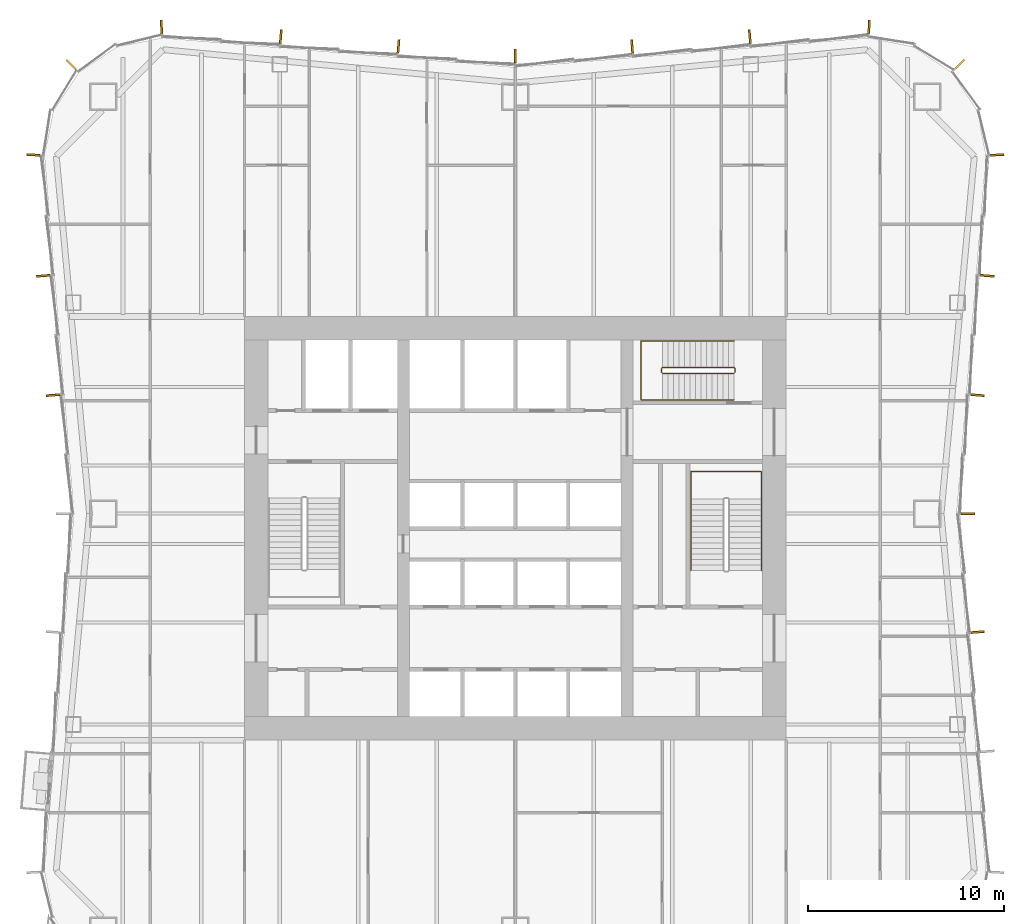
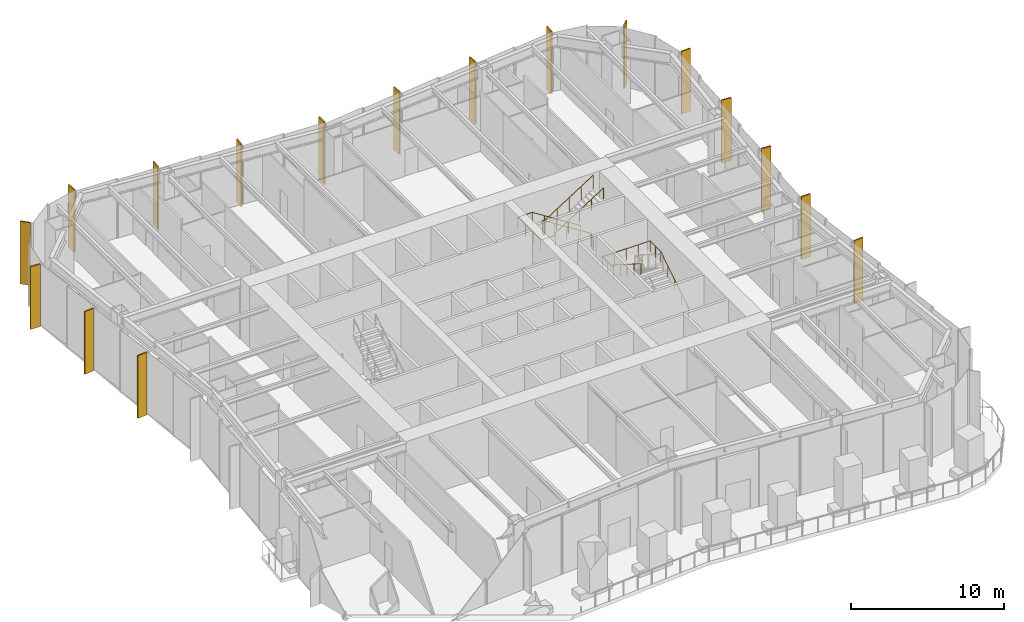
# One storey, part 14 of 15: 17 shading devices, 3 railings.
"""IFC4 building model written with IfcOpenShell, lengths in metres."""

from ifc_helpers import new_model, si_unit, direction, frame, origin, origin_2d, place, context, subcontext, project, spatial, rectangle, circle, extrude, material, layer, layer_set, type_object, element, save


model = new_model("IFC4")

# Units and contexts
model_context = context("Model", 3, precision=1e-05, world=origin(), true_north=direction((0.0, 1.0)))
body_context = subcontext(model_context, "Body", "Model", "MODEL_VIEW")
ifc_project = project(units=[si_unit("LENGTHUNIT", "METRE"), si_unit("AREAUNIT", "SQUARE_METRE"), si_unit("VOLUMEUNIT", "CUBIC_METRE"), si_unit("PLANEANGLEUNIT", "RADIAN"), si_unit("MASSUNIT", "GRAM", prefix="KILO")], contexts=[model_context])

# Site, building, storey
site_placement = place(None, origin())
site = spatial("IfcSite", under=ifc_project, at=site_placement, CompositionType="ELEMENT")
building_placement = place(site_placement, origin())
building = spatial("IfcBuilding", under=site, at=building_placement, Name="Verdant Reach Tower", CompositionType="ELEMENT")
storey_placement = place(building_placement, frame((0.0, 0.0, 65.0)))
storey = spatial("IfcBuildingStorey", under=building, at=storey_placement, Name="L14", CompositionType="ELEMENT", Elevation=65.0)

# Railings
ifc_material_1 = material(Name="Stainless steel", Category="steel")
railing_type_1 = type_object("IfcRailingType", Name="CO-GUARD", PredefinedType="GUARDRAIL", material=ifc_material_1)
railing_1_placement = place(storey_placement, frame((11.199951171875, 35.949951171875, 0.0)))
element("IfcRailing", 1, at=railing_1_placement, inside=storey, type_object=railing_type_1, Name="L14 ST-3 stair guard 1", PredefinedType="GUARDRAIL", context=body_context, shape_type="SweptSolid", body=[
    extrude(circle(Radius=0.02392578125, at=origin_2d()), frame((0.0, 0.0, 1.076171875), z_axis=(0.0, 1.0, 0.0), x_axis=(-1.0, 0.0, 0.0)), (0.0, 0.0, 1.0), 0.199951171875),
    extrude(circle(Radius=0.02392578125, at=origin_2d()), frame((0.0, 0.199951171875, 1.076171875), z_axis=(-0.260684529273, 0.260684529273, 0.929562882432), x_axis=(-0.707106781187, -0.707106781187, 0.0)), (0.0, 0.0, 1.0), 0.19189453125),
    extrude(circle(Radius=0.02392578125, at=origin_2d()), frame((-0.050048828125, 0.25, 1.25439453125), z_axis=(-0.843111507901, 0.0, 0.53773877045), x_axis=(0.0, -1.0, 0.0)), (0.0, 0.0, 1.0), 4.317138671875),
    extrude(circle(Radius=0.02392578125, at=origin_2d()), frame((-3.68994140625, 0.25, 3.576171875), z_axis=(-0.707106781187, -0.707106781187, 0.0), x_axis=(0.707106781187, -0.707106781187, 0.0)), (0.0, 0.0, 1.0), 0.07080078125),
    extrude(circle(Radius=0.02392578125, at=origin_2d()), frame((-3.739990234375, 0.199951171875, 3.576171875), z_axis=(0.0, -1.0, 0.0), x_axis=(1.0, 0.0, 0.0)), (0.0, 0.0, 1.0), 0.199951171875),
    extrude(circle(Radius=0.02392578125, at=origin_2d()), frame((-3.739990234375, 0.0, 3.576171875), z_axis=(0.260684529273, -0.260684529273, 0.929562882432), x_axis=(0.707106781187, 0.707106781187, 0.0)), (0.0, 0.0, 1.0), 0.19189453125),
    extrude(circle(Radius=0.02392578125, at=origin_2d()), frame((-3.68994140625, -0.050048828125, 3.75439453125), z_axis=(0.843111507901, 0.0, 0.53773877045), x_axis=(0.0, 1.0, 0.0)), (0.0, 0.0, 1.0), 4.317138671875),
    extrude(circle(Radius=0.02099609375, at=origin_2d()), origin(), (0.0, 0.0, 1.0), 1.052001953125),
    extrude(circle(Radius=0.02099609375, at=origin_2d()), frame((0.0, 0.199951171875, 0.0)), (0.0, 0.0, 1.0), 1.052001953125),
    extrude(circle(Radius=0.02099609375, at=origin_2d()), frame((-0.050048828125, 0.25, 0.178466796875)), (0.0, 0.0, 1.0), 1.052001953125),
    extrude(circle(Radius=0.02099609375, at=origin_2d()), frame((-0.9599609375, 0.25, 0.7587890625)), (0.0, 0.0, 1.0), 1.052001953125),
    extrude(circle(Radius=0.02099609375, at=origin_2d()), frame((-1.8701171875, 0.25, 1.33935546875)), (0.0, 0.0, 1.0), 1.052001953125),
    extrude(circle(Radius=0.02099609375, at=origin_2d()), frame((-2.780029296875, 0.25, 1.919677734375)), (0.0, 0.0, 1.0), 1.052001953125),
    extrude(circle(Radius=0.02099609375, at=origin_2d()), frame((-3.68994140625, 0.25, 2.5)), (0.0, 0.0, 1.0), 1.052001953125),
    extrude(circle(Radius=0.02099609375, at=origin_2d()), frame((-3.739990234375, 0.199951171875, 2.5)), (0.0, 0.0, 1.0), 1.052001953125),
    extrude(circle(Radius=0.02099609375, at=origin_2d()), frame((-3.739990234375, 0.0, 2.5)), (0.0, 0.0, 1.0), 1.052001953125),
    extrude(circle(Radius=0.02099609375, at=origin_2d()), frame((-3.68994140625, -0.050048828125, 2.678466796875)), (0.0, 0.0, 1.0), 1.052001953125),
    extrude(circle(Radius=0.02099609375, at=origin_2d()), frame((-2.780029296875, -0.050048828125, 3.2587890625)), (0.0, 0.0, 1.0), 1.052001953125),
    extrude(circle(Radius=0.02099609375, at=origin_2d()), frame((-1.8701171875, -0.050048828125, 3.83935546875)), (0.0, 0.0, 1.0), 1.052001953125),
    extrude(circle(Radius=0.02099609375, at=origin_2d()), frame((-0.9599609375, -0.050048828125, 4.419677734375)), (0.0, 0.0, 1.0), 1.052001953125),
    extrude(circle(Radius=0.02099609375, at=origin_2d()), frame((-0.050048828125, -0.050048828125, 5.0)), (0.0, 0.0, 1.0), 1.052001953125),
])
railing_type_2 = type_object("IfcRailingType", Name="CO-HANDRAIL", PredefinedType="HANDRAIL", material=ifc_material_1)
railing_2_placement = place(storey_placement, frame((12.550048828125, 25.85009765625, 0.178466796875)))
element("IfcRailing", 2, at=railing_2_placement, inside=storey, type_object=railing_type_2, Name="L14 ST-2 stair handrail 1", PredefinedType="HANDRAIL", context=body_context, shape_type="SweptSolid", body=[
    extrude(circle(Radius=0.02392578125, at=origin_2d()), frame((0.0, 0.0, 0.8759765625), z_axis=(0.0, 0.843111507901, 0.53773877045), x_axis=(-1.0, 0.0, 0.0)), (0.0, 0.0, 1.0), 4.317138671875),
    extrude(circle(Radius=0.02392578125, at=origin_2d()), frame((0.0, 3.639892578125, 3.197265625), z_axis=(0.0, 1.0, 0.0), x_axis=(-1.0, 0.0, 0.0)), (0.0, 0.0, 1.0), 1.39990234375),
    extrude(circle(Radius=0.02392578125, at=origin_2d()), frame((0.0, 5.039794921875, 3.197265625), z_axis=(-1.0, 0.0, 0.0), x_axis=(0.0, -1.0, 0.0)), (0.0, 0.0, 1.0), 3.60009765625),
    extrude(circle(Radius=0.02392578125, at=origin_2d()), frame((-3.60009765625, 5.039794921875, 3.197265625), z_axis=(0.0, -1.0, 0.0), x_axis=(1.0, 0.0, 0.0)), (0.0, 0.0, 1.0), 1.39990234375),
    extrude(circle(Radius=0.02392578125, at=origin_2d()), frame((-3.60009765625, 3.639892578125, 3.197265625), z_axis=(0.0, 0.0, 1.0), x_axis=(1.0, 0.0, 0.0)), (0.0, 0.0, 1.0), 0.178466796875),
    extrude(circle(Radius=0.02392578125, at=origin_2d()), frame((-3.60009765625, 3.639892578125, 3.3759765625), z_axis=(0.0, -0.843111507901, 0.53773877045), x_axis=(1.0, 0.0, 0.0)), (0.0, 0.0, 1.0), 4.317138671875),
    extrude(circle(Radius=0.02099609375, at=origin_2d()), origin(), (0.0, 0.0, 1.0), 0.851806640625),
    extrude(circle(Radius=0.02099609375, at=origin_2d()), frame((0.0, 0.909912109375, 0.580322265625)), (0.0, 0.0, 1.0), 0.851806640625),
    extrude(circle(Radius=0.02099609375, at=origin_2d()), frame((0.0, 1.81982421875, 1.16064453125)), (0.0, 0.0, 1.0), 0.851806640625),
    extrude(circle(Radius=0.02099609375, at=origin_2d()), frame((0.0, 2.72998046875, 1.7412109375)), (0.0, 0.0, 1.0), 0.851806640625),
    extrude(circle(Radius=0.02099609375, at=origin_2d()), frame((0.0, 3.639892578125, 2.321533203125)), (0.0, 0.0, 1.0), 0.851806640625),
    extrude(circle(Radius=0.02099609375, at=origin_2d()), frame((0.0, 4.33984375, 2.321533203125)), (0.0, 0.0, 1.0), 0.851806640625),
    extrude(circle(Radius=0.02099609375, at=origin_2d()), frame((0.0, 5.039794921875, 2.321533203125)), (0.0, 0.0, 1.0), 0.851806640625),
    extrude(circle(Radius=0.02099609375, at=origin_2d()), frame((-0.89990234375, 5.039794921875, 2.321533203125)), (0.0, 0.0, 1.0), 0.851806640625),
    extrude(circle(Radius=0.02099609375, at=origin_2d()), frame((-1.800048828125, 5.039794921875, 2.321533203125)), (0.0, 0.0, 1.0), 0.851806640625),
    extrude(circle(Radius=0.02099609375, at=origin_2d()), frame((-2.7001953125, 5.039794921875, 2.321533203125)), (0.0, 0.0, 1.0), 0.851806640625),
    extrude(circle(Radius=0.02099609375, at=origin_2d()), frame((-3.60009765625, 5.039794921875, 2.321533203125)), (0.0, 0.0, 1.0), 0.851806640625),
    extrude(circle(Radius=0.02099609375, at=origin_2d()), frame((-3.60009765625, 4.33984375, 2.321533203125)), (0.0, 0.0, 1.0), 0.851806640625),
    extrude(circle(Radius=0.02099609375, at=origin_2d()), frame((-3.60009765625, 3.639892578125, 2.321533203125)), (0.0, 0.0, 1.0), 0.851806640625),
    extrude(circle(Radius=0.02099609375, at=origin_2d()), frame((-3.60009765625, 3.639892578125, 2.5)), (0.0, 0.0, 1.0), 0.851806640625),
    extrude(circle(Radius=0.02099609375, at=origin_2d()), frame((-3.60009765625, 2.72998046875, 3.080322265625)), (0.0, 0.0, 1.0), 0.851806640625),
    extrude(circle(Radius=0.02099609375, at=origin_2d()), frame((-3.60009765625, 1.81982421875, 3.66064453125)), (0.0, 0.0, 1.0), 0.851806640625),
    extrude(circle(Radius=0.02099609375, at=origin_2d()), frame((-3.60009765625, 0.909912109375, 4.2412109375)), (0.0, 0.0, 1.0), 0.851806640625),
    extrude(circle(Radius=0.02099609375, at=origin_2d()), frame((-3.60009765625, 0.0, 4.821533203125)), (0.0, 0.0, 1.0), 0.851806640625),
])
railing_3_placement = place(storey_placement, frame((11.14990234375, 37.550048828125, 0.178466796875)))
element("IfcRailing", 3, at=railing_3_placement, inside=storey, type_object=railing_type_2, Name="L14 ST-3 stair handrail 1", PredefinedType="HANDRAIL", context=body_context, shape_type="SweptSolid", body=[
    extrude(circle(Radius=0.02392578125, at=origin_2d()), frame((0.0, 0.0, 0.8759765625), z_axis=(-0.843111507901, 0.0, 0.53773877045), x_axis=(0.0, -1.0, 0.0)), (0.0, 0.0, 1.0), 4.317138671875),
    extrude(circle(Radius=0.02392578125, at=origin_2d()), frame((-3.639892578125, 0.0, 3.197265625), z_axis=(-1.0, 0.0, 0.0), x_axis=(0.0, -1.0, 0.0)), (0.0, 0.0, 1.0), 1.10009765625),
    extrude(circle(Radius=0.02392578125, at=origin_2d()), frame((-4.739990234375, 0.0, 3.197265625), z_axis=(0.0, -1.0, 0.0), x_axis=(1.0, 0.0, 0.0)), (0.0, 0.0, 1.0), 3.0),
    extrude(circle(Radius=0.02392578125, at=origin_2d()), frame((-4.739990234375, -3.0, 3.197265625), z_axis=(1.0, 0.0, 0.0), x_axis=(0.0, 1.0, 0.0)), (0.0, 0.0, 1.0), 1.10009765625),
    extrude(circle(Radius=0.02392578125, at=origin_2d()), frame((-3.639892578125, -3.0, 3.197265625), z_axis=(0.0, 0.0, 1.0), x_axis=(1.0, 0.0, 0.0)), (0.0, 0.0, 1.0), 0.178466796875),
    extrude(circle(Radius=0.02392578125, at=origin_2d()), frame((-3.639892578125, -3.0, 3.3759765625), z_axis=(0.843111507901, 0.0, 0.53773877045), x_axis=(0.0, 1.0, 0.0)), (0.0, 0.0, 1.0), 4.317138671875),
    extrude(circle(Radius=0.02099609375, at=origin_2d()), origin(), (0.0, 0.0, 1.0), 0.851806640625),
    extrude(circle(Radius=0.02099609375, at=origin_2d()), frame((-0.909912109375, 0.0, 0.580322265625)), (0.0, 0.0, 1.0), 0.851806640625),
    extrude(circle(Radius=0.02099609375, at=origin_2d()), frame((-1.81982421875, 0.0, 1.16064453125)), (0.0, 0.0, 1.0), 0.851806640625),
    extrude(circle(Radius=0.02099609375, at=origin_2d()), frame((-2.72998046875, 0.0, 1.7412109375)), (0.0, 0.0, 1.0), 0.851806640625),
    extrude(circle(Radius=0.02099609375, at=origin_2d()), frame((-3.639892578125, 0.0, 2.321533203125)), (0.0, 0.0, 1.0), 0.851806640625),
    extrude(circle(Radius=0.02099609375, at=origin_2d()), frame((-4.739990234375, 0.0, 2.321533203125)), (0.0, 0.0, 1.0), 0.851806640625),
    extrude(circle(Radius=0.02099609375, at=origin_2d()), frame((-4.739990234375, -1.0, 2.321533203125)), (0.0, 0.0, 1.0), 0.851806640625),
    extrude(circle(Radius=0.02099609375, at=origin_2d()), frame((-4.739990234375, -2.0, 2.321533203125)), (0.0, 0.0, 1.0), 0.851806640625),
    extrude(circle(Radius=0.02099609375, at=origin_2d()), frame((-4.739990234375, -3.0, 2.321533203125)), (0.0, 0.0, 1.0), 0.851806640625),
    extrude(circle(Radius=0.02099609375, at=origin_2d()), frame((-3.639892578125, -3.0, 2.321533203125)), (0.0, 0.0, 1.0), 0.851806640625),
    extrude(circle(Radius=0.02099609375, at=origin_2d()), frame((-3.639892578125, -3.0, 2.5)), (0.0, 0.0, 1.0), 0.851806640625),
    extrude(circle(Radius=0.02099609375, at=origin_2d()), frame((-2.72998046875, -3.0, 3.080322265625)), (0.0, 0.0, 1.0), 0.851806640625),
    extrude(circle(Radius=0.02099609375, at=origin_2d()), frame((-1.81982421875, -3.0, 3.66064453125)), (0.0, 0.0, 1.0), 0.851806640625),
    extrude(circle(Radius=0.02099609375, at=origin_2d()), frame((-0.909912109375, -3.0, 4.2412109375)), (0.0, 0.0, 1.0), 0.851806640625),
    extrude(circle(Radius=0.02099609375, at=origin_2d()), frame((0.0, -3.0, 4.821533203125)), (0.0, 0.0, 1.0), 0.851806640625),
])

# Shading devices
ifc_material_2 = material(Name="Bronze fin, champagne", Category="aluminium")
ifc_layer_1 = layer(ifc_material_2, 0.10009765625)
ifc_layer_set_1 = layer_set([ifc_layer_1], Name="EN-FIN CHAMPAGNE")
shading_device_type_1 = type_object("IfcShadingDeviceType", Name="EN-FIN CHAMPAGNE", PredefinedType="USERDEFINED", material=ifc_layer_set_1)
for number, where, z_axis, x_axis, name in (
    (4, (23.055908203125, 28.75, -0.35009765625), (0.0, 0.0, 1.0), (0.0, 1.0, 0.0), "Fin east face part 2 1, L14"),
    (5, (5.953857421875, 52.55419921875, -0.35009765625), (0.0, 0.0, 1.0), (-0.996545758244, -0.083045479859, 0.0), "Fin north face part 1 5, L14"),
    (6, (-24.05419921875, 40.87109375, -0.35009765625), (0.0, 0.0, 1.0), (0.081915556724, -0.996639273542, 0.0), "Fin west face part 1 3, L14"),
):
    element("IfcShadingDevice", number, at=place(storey_placement, frame(where, z_axis=z_axis, x_axis=x_axis)), inside=storey, type_object=shading_device_type_1, Name=name, ObjectType="FIN", PredefinedType="USERDEFINED", context=body_context, shape_type="SweptSolid", body=[
        extrude(rectangle(XDim=0.10009765625, YDim=0.699951171875, at=origin_2d()), origin(), (0.0, 0.0, 1.0), 5.0),
    ])
ifc_material_3 = material(Name="Bronze fin, copper", Category="aluminium")
ifc_layer_2 = layer(ifc_material_3, 0.10009765625)
ifc_layer_set_2 = layer_set([ifc_layer_2], Name="EN-FIN COPPER")
shading_device_type_2 = type_object("IfcShadingDeviceType", Name="EN-FIN COPPER", PredefinedType="USERDEFINED", material=ifc_layer_set_2)
for number, where, z_axis, x_axis, name in (
    (7, (23.55419921875, 34.787841796875, -0.35009765625), (0.0, 0.0, 1.0), (0.081915556724, 0.996639273542, 0.0), "Fin east face part 2 3, L14"),
    (8, (24.55517578125, 47.03173828125, -0.35009765625), (0.0, 0.0, 1.0), (-0.057135164055, 0.998366452275, 0.0), "Fin north-east corner 1, L14"),
    (9, (22.6357421875, 51.6357421875, -0.35009765625), (0.0, 0.0, 1.0), (-0.707106781187, 0.707106781187, 0.0), "Fin north-east corner 3, L14"),
    (10, (18.031494140625, 53.55517578125, -0.35009765625), (0.0, 0.0, 1.0), (-0.998398681387, 0.056569187765, 0.0), "Fin north face part 1 1, L14"),
    (11, (0.0, 52.055908203125, -0.35009765625), (0.0, 0.0, 1.0), (-1.0, 0.0, 0.0), "Fin north face part 2 1, L14"),
    (12, (-18.031494140625, 53.55517578125, -0.35009765625), (0.0, 0.0, 1.0), (-0.998398681387, -0.056569187765, 0.0), "Fin north-west corner 1, L14"),
    (13, (-23.55419921875, 34.787841796875, -0.35009765625), (0.0, 0.0, 1.0), (0.081915556724, -0.996639273542, 0.0), "Fin west face part 1 5, L14"),
):
    element("IfcShadingDevice", number, at=place(storey_placement, frame(where, z_axis=z_axis, x_axis=x_axis)), inside=storey, type_object=shading_device_type_2, Name=name, ObjectType="FIN", PredefinedType="USERDEFINED", context=body_context, shape_type="SweptSolid", body=[
        extrude(rectangle(XDim=0.10009765625, YDim=0.699951171875, at=origin_2d()), origin(), (0.0, 0.0, 1.0), 5.0),
    ])
ifc_material_4 = material(Name="Bronze fin, dark bronze", Category="aluminium")
ifc_layer_3 = layer(ifc_material_4, 0.10009765625)
ifc_layer_set_3 = layer_set([ifc_layer_3], Name="EN-FIN DARK")
shading_device_type_3 = type_object("IfcShadingDeviceType", Name="EN-FIN DARK", PredefinedType="USERDEFINED", material=ifc_layer_set_3)
for number, where, z_axis, x_axis, name in (
    (14, (23.55419921875, 22.712158203125, -0.35009765625), (0.0, 0.0, 1.0), (-0.081915556724, 0.996639273542, 0.0), "Fin east face part 1 5, L14"),
    (15, (24.05419921875, 40.87109375, -0.35009765625), (0.0, 0.0, 1.0), (0.081915556724, 0.996639273542, 0.0), "Fin east face part 2 5, L14"),
    (16, (11.953857421875, 53.05419921875, -0.35009765625), (0.0, 0.0, 1.0), (-0.996545758244, -0.083045479859, 0.0), "Fin north face part 1 3, L14"),
    (17, (-5.953857421875, 52.55419921875, -0.35009765625), (0.0, 0.0, 1.0), (-0.996545758244, 0.083045479859, 0.0), "Fin north face part 2 3, L14"),
    (18, (-11.953857421875, 53.05419921875, -0.35009765625), (0.0, 0.0, 1.0), (-0.996545758244, 0.083045479859, 0.0), "Fin north face part 2 5, L14"),
    (19, (-22.6357421875, 51.6357421875, -0.35009765625), (0.0, 0.0, 1.0), (-0.707106781187, -0.707106781187, 0.0), "Fin north-west corner 3, L14"),
    (20, (-24.55517578125, 47.03173828125, -0.35009765625), (0.0, 0.0, 1.0), (-0.057135164055, -0.998366452275, 0.0), "Fin west face part 1 1, L14"),
):
    element("IfcShadingDevice", number, at=place(storey_placement, frame(where, z_axis=z_axis, x_axis=x_axis)), inside=storey, type_object=shading_device_type_3, Name=name, ObjectType="FIN", PredefinedType="USERDEFINED", context=body_context, shape_type="SweptSolid", body=[
        extrude(rectangle(XDim=0.10009765625, YDim=0.699951171875, at=origin_2d()), origin(), (0.0, 0.0, 1.0), 5.0),
    ])

save(model, "model.ifc")
